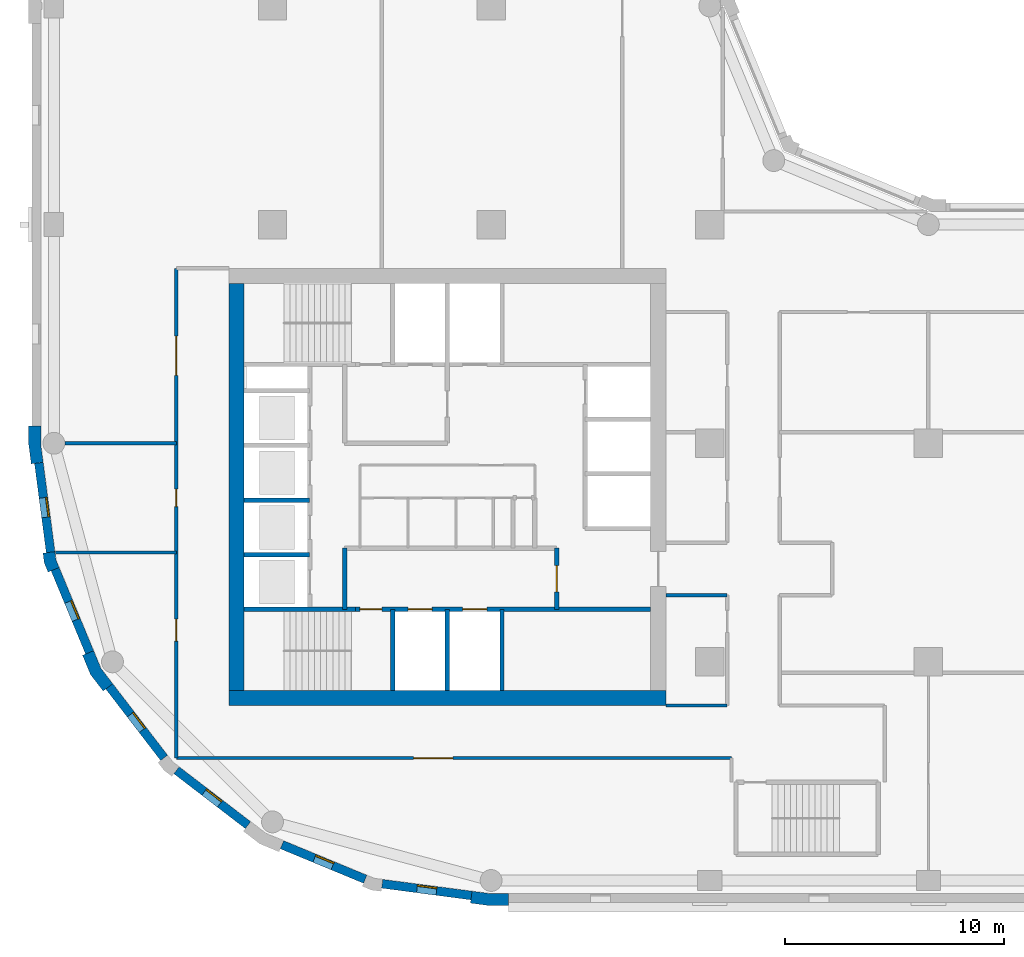
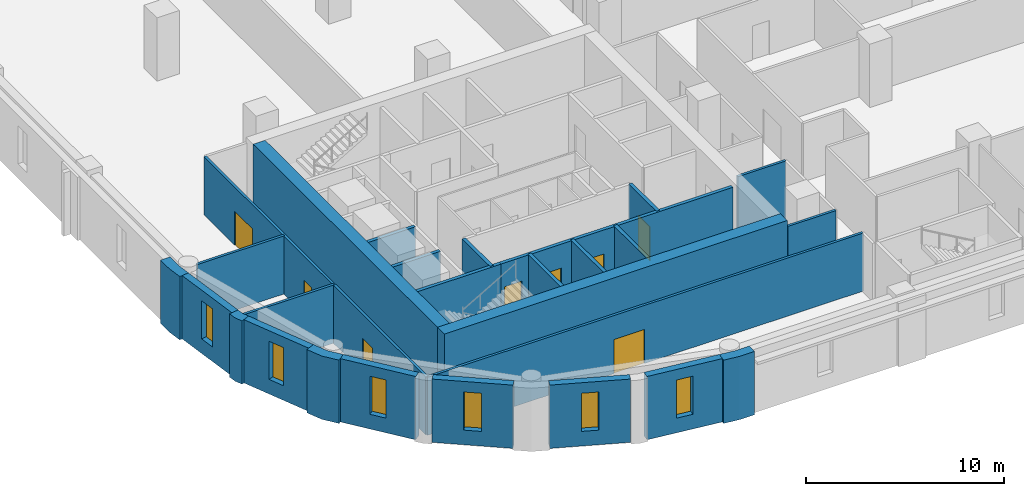
# One storey, part 2 of 9: 27 walls, 8 doors, 6 windows, 14 openings.
"""IFC4 building model written with IfcOpenShell, lengths in metres."""

from ifc_helpers import new_model, si_unit, direction, frame, frame_2d, origin, place, context, subcontext, project, spatial, polyline, rectangle, outline, extrude, material, layer, layer_set, type_object, element, fill, save


model = new_model("IFC4")

# Units and contexts
model_context = context("Model", 3, precision=1e-05, world=origin(), true_north=direction((0.0, 1.0)))
body_context = subcontext(model_context, "Body", "Model", "MODEL_VIEW")
ifc_project = project(units=[si_unit("LENGTHUNIT", "METRE"), si_unit("AREAUNIT", "SQUARE_METRE"), si_unit("VOLUMEUNIT", "CUBIC_METRE"), si_unit("PLANEANGLEUNIT", "RADIAN"), si_unit("MASSUNIT", "GRAM", prefix="KILO")], contexts=[model_context])

# Site, building, storey
site_placement = place(None, origin())
site = spatial("IfcSite", under=ifc_project, at=site_placement, CompositionType="ELEMENT")
building_placement = place(site_placement, origin())
building = spatial("IfcBuilding", under=site, at=building_placement, Name="Qaws Garden Tower", CompositionType="ELEMENT")
storey_placement = place(building_placement, frame((0.0, 0.0, 213.60009765625)))
storey = spatial("IfcBuildingStorey", under=building, at=storey_placement, Name="L52", CompositionType="ELEMENT", Elevation=213.60009765625)

# Wall, opening, window
ifc_material_1 = material(Name="Clay facing brick masonry", Category="masonry")
ifc_layer_1 = layer(ifc_material_1, 0.39990234375)
ifc_layer_set_1 = layer_set([ifc_layer_1], Name="Clay facing brick masonry")
wall_type_1 = type_object("IfcWallType", Name="Brick infill wall 400", PredefinedType="SOLIDWALL", material=ifc_layer_set_1)
wall_1_placement = place(storey_placement, frame((-0.688720703125, 19.102294921875, 0.0), z_axis=(0.0, 0.0, 1.0), x_axis=(0.130514280502, -0.991446429508, 0.0)))
wall_1 = element("IfcWall", 1, at=wall_1_placement, inside=storey, type_object=wall_type_1, Name="E-L52-infill-25", PredefinedType="SOLIDWALL", context=body_context, shape_type="SweptSolid", body=[
    extrude(rectangle(XDim=4.120849609375, YDim=0.39990234375, at=frame_2d((2.060546875, 0.0))), origin(), (0.0, 0.0, 1.0), 3.89990234375),
])
opening_1_placement = place(wall_1_placement, frame((1.610595703125, 0.0, 0.89990234375)))
opening_1 = element("IfcOpeningElement", 2, at=opening_1_placement, cuts=wall_1, Name="Opening W09", PredefinedType="OPENING", context=body_context, shape_type="SweptSolid", body=[
    extrude(rectangle(XDim=0.89990234375, YDim=2.35009765625, at=frame_2d((0.449951171875, 1.175048828125))), frame((0.0, 0.2099609375, 0.0), z_axis=(0.0, -1.0, 0.0), x_axis=(1.0, 0.0, 0.0)), (0.0, 0.0, 1.0), 0.419921875),
])
ifc_material_2 = material(Name="Aluminium framed window, clear glazing", Category="aluminium")
window_type = type_object("IfcWindowType", Name="Slit window 900 x 2350", PartitioningType="SINGLE_PANEL", PredefinedType="WINDOW", material=ifc_material_2)
window_1_placement = place(opening_1_placement, origin())
window_1 = element("IfcWindow", 3, at=window_1_placement, inside=storey, type_object=window_type, Name="E-L52-window-25-0", OverallHeight=2.35009765625, OverallWidth=0.89990234375, PartitioningType="SINGLE_PANEL", PredefinedType="WINDOW", context=body_context, shape_type="SweptSolid", body=[
    extrude(rectangle(XDim=0.89990234375, YDim=2.35009765625, at=frame_2d((0.449951171875, 1.175048828125))), frame((0.0, 0.159912109375, 0.0), z_axis=(0.0, -1.0, 0.0), x_axis=(1.0, 0.0, 0.0)), (0.0, 0.0, 1.0), 0.06005859375),
])
fill(opening_1, window_1)

wall_2_placement = place(storey_placement, frame((0.05712890625, 14.240234375, 0.0), z_axis=(0.0, 0.0, 1.0), x_axis=(0.382721546029, -0.923863744394, 0.0)))
wall_2 = element("IfcWall", 4, at=wall_2_placement, inside=storey, type_object=wall_type_1, Name="E-L52-infill-26", PredefinedType="SOLIDWALL", context=body_context, shape_type="SweptSolid", body=[
    extrude(rectangle(XDim=4.120849609375, YDim=0.39990234375, at=frame_2d((2.060546875, 0.0))), origin(), (0.0, 0.0, 1.0), 3.89990234375),
])
opening_2_placement = place(wall_2_placement, frame((1.610595703125, 0.0, 0.89990234375)))
opening_2 = element("IfcOpeningElement", 5, at=opening_2_placement, cuts=wall_2, Name="Opening W09", PredefinedType="OPENING", context=body_context, shape_type="SweptSolid", body=[
    extrude(rectangle(XDim=0.89990234375, YDim=2.35009765625, at=frame_2d((0.449951171875, 1.175048828125))), frame((0.0, 0.2099609375, 0.0), z_axis=(0.0, -1.0, 0.0), x_axis=(1.0, 0.0, 0.0)), (0.0, 0.0, 1.0), 0.419921875),
])
window_2_placement = place(opening_2_placement, origin())
window_2 = element("IfcWindow", 6, at=window_2_placement, inside=storey, type_object=window_type, Name="E-L52-window-26-0", OverallHeight=2.35009765625, OverallWidth=0.89990234375, PartitioningType="SINGLE_PANEL", PredefinedType="WINDOW", context=body_context, shape_type="SweptSolid", body=[
    extrude(rectangle(XDim=0.89990234375, YDim=2.35009765625, at=frame_2d((0.449951171875, 1.175048828125))), frame((0.0, 0.159912109375, 0.0), z_axis=(0.0, -1.0, 0.0), x_axis=(1.0, 0.0, 0.0)), (0.0, 0.0, 1.0), 0.06005859375),
])
fill(opening_2, window_2)

wall_3_placement = place(storey_placement, frame((2.53173828125, 8.87841796875, 0.0), z_axis=(0.0, 0.0, 1.0), x_axis=(0.608759824817, -0.793354571229, 0.0)))
wall_3 = element("IfcWall", 7, at=wall_3_placement, inside=storey, type_object=wall_type_1, Name="E-L52-infill-27", PredefinedType="SOLIDWALL", context=body_context, shape_type="SweptSolid", body=[
    extrude(rectangle(XDim=4.12109375, YDim=0.39990234375, at=frame_2d((2.060546875, 0.0))), origin(), (0.0, 0.0, 1.0), 3.89990234375),
])
opening_3_placement = place(wall_3_placement, frame((1.610595703125, 0.0, 0.89990234375)))
opening_3 = element("IfcOpeningElement", 8, at=opening_3_placement, cuts=wall_3, Name="Opening W09", PredefinedType="OPENING", context=body_context, shape_type="SweptSolid", body=[
    extrude(rectangle(XDim=0.89990234375, YDim=2.35009765625, at=frame_2d((0.449951171875, 1.175048828125))), frame((0.0, 0.2099609375, 0.0), z_axis=(0.0, -1.0, 0.0), x_axis=(1.0, 0.0, 0.0)), (0.0, 0.0, 1.0), 0.419921875),
])
window_3_placement = place(opening_3_placement, origin())
window_3 = element("IfcWindow", 9, at=window_3_placement, inside=storey, type_object=window_type, Name="E-L52-window-27-0", OverallHeight=2.35009765625, OverallWidth=0.89990234375, PartitioningType="SINGLE_PANEL", PredefinedType="WINDOW", context=body_context, shape_type="SweptSolid", body=[
    extrude(rectangle(XDim=0.89990234375, YDim=2.35009765625, at=frame_2d((0.449951171875, 1.175048828125))), frame((0.0, 0.159912109375, 0.0), z_axis=(0.0, -1.0, 0.0), x_axis=(1.0, 0.0, 0.0)), (0.0, 0.0, 1.0), 0.06005859375),
])
fill(opening_3, window_3)

wall_4_placement = place(storey_placement, frame((5.60888671875, 5.04052734375, 0.0), z_axis=(0.0, 0.0, 1.0), x_axis=(0.793354571229, -0.608759824817, 0.0)))
wall_4 = element("IfcWall", 10, at=wall_4_placement, inside=storey, type_object=wall_type_1, Name="E-L52-infill-28", PredefinedType="SOLIDWALL", context=body_context, shape_type="SweptSolid", body=[
    extrude(rectangle(XDim=4.12109375, YDim=0.39990234375, at=frame_2d((2.060546875, 0.0))), origin(), (0.0, 0.0, 1.0), 3.89990234375),
])
opening_4_placement = place(wall_4_placement, frame((1.610595703125, 0.0, 0.89990234375)))
opening_4 = element("IfcOpeningElement", 11, at=opening_4_placement, cuts=wall_4, Name="Opening W09", PredefinedType="OPENING", context=body_context, shape_type="SweptSolid", body=[
    extrude(rectangle(XDim=0.89990234375, YDim=2.35009765625, at=frame_2d((0.449951171875, 1.175048828125))), frame((0.0, 0.2099609375, 0.0), z_axis=(0.0, -1.0, 0.0), x_axis=(1.0, 0.0, 0.0)), (0.0, 0.0, 1.0), 0.419921875),
])
window_4_placement = place(opening_4_placement, origin())
window_4 = element("IfcWindow", 12, at=window_4_placement, inside=storey, type_object=window_type, Name="E-L52-window-28-0", OverallHeight=2.35009765625, OverallWidth=0.89990234375, PartitioningType="SINGLE_PANEL", PredefinedType="WINDOW", context=body_context, shape_type="SweptSolid", body=[
    extrude(rectangle(XDim=0.89990234375, YDim=2.35009765625, at=frame_2d((0.449951171875, 1.175048828125))), frame((0.0, 0.159912109375, 0.0), z_axis=(0.0, -1.0, 0.0), x_axis=(1.0, 0.0, 0.0)), (0.0, 0.0, 1.0), 0.06005859375),
])
fill(opening_4, window_4)

wall_5_placement = place(storey_placement, frame((10.43310546875, 1.63427734375, 0.0), z_axis=(0.0, 0.0, 1.0), x_axis=(0.923863744394, -0.382721546029, 0.0)))
wall_5 = element("IfcWall", 13, at=wall_5_placement, inside=storey, type_object=wall_type_1, Name="E-L52-infill-29", PredefinedType="SOLIDWALL", context=body_context, shape_type="SweptSolid", body=[
    extrude(rectangle(XDim=4.120849609375, YDim=0.39990234375, at=frame_2d((2.060546875, 0.0))), origin(), (0.0, 0.0, 1.0), 3.89990234375),
])
opening_5_placement = place(wall_5_placement, frame((1.610595703125, 0.0, 0.89990234375)))
opening_5 = element("IfcOpeningElement", 14, at=opening_5_placement, cuts=wall_5, Name="Opening W09", PredefinedType="OPENING", context=body_context, shape_type="SweptSolid", body=[
    extrude(rectangle(XDim=0.89990234375, YDim=2.35009765625, at=frame_2d((0.449951171875, 1.175048828125))), frame((0.0, 0.2099609375, 0.0), z_axis=(0.0, -1.0, 0.0), x_axis=(1.0, 0.0, 0.0)), (0.0, 0.0, 1.0), 0.419921875),
])
window_5_placement = place(opening_5_placement, origin())
window_5 = element("IfcWindow", 15, at=window_5_placement, inside=storey, type_object=window_type, Name="E-L52-window-29-0", OverallHeight=2.35009765625, OverallWidth=0.89990234375, PartitioningType="SINGLE_PANEL", PredefinedType="WINDOW", context=body_context, shape_type="SweptSolid", body=[
    extrude(rectangle(XDim=0.89990234375, YDim=2.35009765625, at=frame_2d((0.449951171875, 1.175048828125))), frame((0.0, 0.159912109375, 0.0), z_axis=(0.0, -1.0, 0.0), x_axis=(1.0, 0.0, 0.0)), (0.0, 0.0, 1.0), 0.06005859375),
])
fill(opening_5, window_5)

wall_6_placement = place(storey_placement, frame((15.0166015625, -0.15087890625, 0.0), z_axis=(0.0, 0.0, 1.0), x_axis=(0.991446429508, -0.130514280502, 0.0)))
wall_6 = element("IfcWall", 16, at=wall_6_placement, inside=storey, type_object=wall_type_1, Name="E-L52-infill-30", PredefinedType="SOLIDWALL", context=body_context, shape_type="SweptSolid", body=[
    extrude(rectangle(XDim=4.120849609375, YDim=0.39990234375, at=frame_2d((2.060546875, 0.0))), origin(), (0.0, 0.0, 1.0), 3.89990234375),
])
opening_6_placement = place(wall_6_placement, frame((1.610595703125, 0.0, 0.89990234375)))
opening_6 = element("IfcOpeningElement", 17, at=opening_6_placement, cuts=wall_6, Name="Opening W09", PredefinedType="OPENING", context=body_context, shape_type="SweptSolid", body=[
    extrude(rectangle(XDim=0.89990234375, YDim=2.35009765625, at=frame_2d((0.449951171875, 1.175048828125))), frame((0.0, 0.2099609375, 0.0), z_axis=(0.0, -1.0, 0.0), x_axis=(1.0, 0.0, 0.0)), (0.0, 0.0, 1.0), 0.419921875),
])
window_6_placement = place(opening_6_placement, origin())
window_6 = element("IfcWindow", 18, at=window_6_placement, inside=storey, type_object=window_type, Name="E-L52-window-30-0", OverallHeight=2.35009765625, OverallWidth=0.89990234375, PartitioningType="SINGLE_PANEL", PredefinedType="WINDOW", context=body_context, shape_type="SweptSolid", body=[
    extrude(rectangle(XDim=0.89990234375, YDim=2.35009765625, at=frame_2d((0.449951171875, 1.175048828125))), frame((0.0, 0.159912109375, 0.0), z_axis=(0.0, -1.0, 0.0), x_axis=(1.0, 0.0, 0.0)), (0.0, 0.0, 1.0), 0.06005859375),
])
fill(opening_6, window_6)

# Walls
ifc_material_3 = material(Name="Clay facing brick masonry", Category="masonry")
ifc_layer_2 = layer(ifc_material_3, 0.550048828125)
ifc_layer_set_2 = layer_set([ifc_layer_2], Name="Clay facing brick masonry")
wall_type_2 = type_object("IfcWallType", Name="Brick kink pier 550 x 600", PredefinedType="SOLIDWALL", material=ifc_layer_set_2)
placement = place(storey_placement, origin())
element("IfcWall", 19, at=placement, inside=storey, type_object=wall_type_2, Name="E-L52-pier-26", PredefinedType="SOLIDWALL", context=body_context, shape_type="SweptSolid", body=[
    extrude(outline(polyline([(-0.34912109375, 14.990478515625), (-0.497802734375, 14.970947265625), (-0.43896484375, 14.5234375), (-0.26611328125, 14.1064453125), (-0.127685546875, 14.163818359375), (0.241943359375, 14.31689453125), (0.096923828125, 14.6669921875), (0.04736328125, 15.042724609375), (-0.34912109375, 14.990478515625)])), origin(), (0.0, 0.0, 1.0), 3.89990234375),
])
ifc_material_4 = material(Name="Clay facing brick masonry", Category="masonry")
ifc_layer_3 = layer(ifc_material_4, 0.550048828125)
ifc_layer_set_3 = layer_set([ifc_layer_3], Name="Clay facing brick masonry")
wall_type_3 = type_object("IfcWallType", Name="Brick pier 550 x 1600", PredefinedType="SOLIDWALL", material=ifc_layer_set_3)
element("IfcWall", 20, at=placement, inside=storey, type_object=wall_type_3, Name="E-L52-pier-00", PredefinedType="SOLIDWALL", context=body_context, shape_type="SweptSolid", body=[
    extrude(outline(polyline([(19.076416015625, -0.886962890625), (19.056640625, -1.03564453125), (19.924560546875, -1.14990234375), (20.800048828125, -1.14990234375), (20.800048828125, -1.0), (20.800048828125, -0.60009765625), (19.960693359375, -0.60009765625), (19.12841796875, -0.490478515625), (19.076416015625, -0.886962890625)])), origin(), (0.0, 0.0, 1.0), 3.89990234375),
])
element("IfcWall", 21, at=placement, inside=storey, type_object=wall_type_3, Name="E-L52-pier-25", PredefinedType="SOLIDWALL", context=body_context, shape_type="SweptSolid", body=[
    extrude(outline(polyline([(-1.0, 20.800048828125), (-1.14990234375, 20.800048828125), (-1.14990234375, 19.924560546875), (-1.03564453125, 19.056640625), (-0.886962890625, 19.076416015625), (-0.490478515625, 19.12841796875), (-0.60009765625, 19.960693359375), (-0.60009765625, 20.800048828125), (-1.0, 20.800048828125)])), origin(), (0.0, 0.0, 1.0), 3.89990234375),
])
element("IfcWall", 22, at=placement, inside=storey, type_object=wall_type_3, Name="E-L52-pier-27", PredefinedType="SOLIDWALL", context=body_context, shape_type="SweptSolid", body=[
    extrude(outline(polyline([(1.449462890625, 10.3564453125), (1.310791015625, 10.299072265625), (1.675048828125, 9.419921875), (2.254150390625, 8.665283203125), (2.373046875, 8.756591796875), (2.6904296875, 9.0), (2.1552734375, 9.697509765625), (1.819091796875, 10.509521484375), (1.449462890625, 10.3564453125)])), origin(), (0.0, 0.0, 1.0), 3.89990234375),
])
ifc_material_5 = material(Name="Concrete C70", Category="concrete")
ifc_layer_4 = layer(ifc_material_5, 0.199951171875)
ifc_layer_set_4 = layer_set([ifc_layer_4], Name="Concrete C70")
wall_type_4 = type_object("IfcWallType", Name="Core shaft wall 200 C70", PredefinedType="SHEAR", material=ifc_layer_set_4)
wall_11_placement = place(storey_placement, frame((8.699951171875, 12.39990234375, 0.0), z_axis=(0.0, 0.0, 1.0), x_axis=(1.0, 0.0, 0.0)))
element("IfcWall", 23, at=wall_11_placement, inside=storey, type_object=wall_type_4, Name="Shaft wall", PredefinedType="SHEAR", context=body_context, shape_type="SweptSolid", body=[
    extrude(rectangle(XDim=5.10009765625, YDim=0.199951171875, at=frame_2d((2.550048828125, 0.0))), origin(), (0.0, 0.0, 1.0), 3.579833984375),
])

# Wall, openings, doors
wall_12_placement = place(storey_placement, frame((13.800048828125, 12.39990234375, 0.0), z_axis=(0.0, 0.0, 1.0), x_axis=(1.0, 0.0, 0.0)))
wall_12 = element("IfcWall", 24, at=wall_12_placement, inside=storey, type_object=wall_type_4, Name="Shaft wall", PredefinedType="SHEAR", context=body_context, shape_type="SweptSolid", body=[
    extrude(rectangle(XDim=13.5, YDim=0.199951171875, at=frame_2d((6.75, 0.0))), origin(), (0.0, 0.0, 1.0), 3.579833984375),
])
opening_7_placement = place(wall_12_placement, frame((2.39990234375, 0.0, 0.0)))
opening_7 = element("IfcOpeningElement", 25, at=opening_7_placement, cuts=wall_12, Name="Opening LD06", PredefinedType="OPENING", context=body_context, shape_type="SweptSolid", body=[
    extrude(rectangle(XDim=1.10009765625, YDim=2.10009765625, at=frame_2d((0.550048828125, 1.050048828125))), frame((0.0, 0.10986328125, 0.0), z_axis=(0.0, -1.0, 0.0), x_axis=(1.0, 0.0, 0.0)), (0.0, 0.0, 1.0), 0.219970703125),
])
opening_8_placement = place(wall_12_placement, frame((4.89990234375, 0.0, 0.0)))
opening_8 = element("IfcOpeningElement", 26, at=opening_8_placement, cuts=wall_12, Name="Opening LD07", PredefinedType="OPENING", context=body_context, shape_type="SweptSolid", body=[
    extrude(rectangle(XDim=1.10009765625, YDim=2.10009765625, at=frame_2d((0.550048828125, 1.050048828125))), frame((0.0, 0.10986328125, 0.0), z_axis=(0.0, -1.0, 0.0), x_axis=(1.0, 0.0, 0.0)), (0.0, 0.0, 1.0), 0.219970703125),
])
opening_9_placement = place(wall_12_placement, frame((0.199951171875, 0.0, 0.0)))
opening_9 = element("IfcOpeningElement", 27, at=opening_9_placement, cuts=wall_12, Name="Opening SD10", PredefinedType="OPENING", context=body_context, shape_type="SweptSolid", body=[
    extrude(rectangle(XDim=1.0, YDim=2.10009765625, at=frame_2d((0.5, 1.050048828125))), frame((0.0, 0.10986328125, 0.0), z_axis=(0.0, -1.0, 0.0), x_axis=(1.0, 0.0, 0.0)), (0.0, 0.0, 1.0), 0.219970703125),
])
ifc_material_6 = material(Name="Steel S235", Category="steel")
door_type_1 = type_object("IfcDoorType", Name="Landing door 1100x2100", OperationType="DOUBLE_DOOR_SLIDING", PredefinedType="DOOR", material=ifc_material_6)
door_1_placement = place(opening_7_placement, origin())
door_1 = element("IfcDoor", 28, at=door_1_placement, inside=storey, type_object=door_type_1, Name="Lift FF1 landing door", OperationType="DOUBLE_DOOR_SLIDING", OverallHeight=2.10009765625, OverallWidth=1.10009765625, PredefinedType="DOOR", context=body_context, shape_type="SweptSolid", body=[
    extrude(rectangle(XDim=1.10009765625, YDim=2.10009765625, at=frame_2d((0.550048828125, 1.050048828125))), frame((0.0, 0.02490234375, 0.0), z_axis=(0.0, -1.0, 0.0), x_axis=(1.0, 0.0, 0.0)), (0.0, 0.0, 1.0), 0.050048828125),
])
fill(opening_7, door_1)
door_2_placement = place(opening_8_placement, origin())
door_2 = element("IfcDoor", 29, at=door_2_placement, inside=storey, type_object=door_type_1, Name="Lift FF2 landing door", OperationType="DOUBLE_DOOR_SLIDING", OverallHeight=2.10009765625, OverallWidth=1.10009765625, PredefinedType="DOOR", context=body_context, shape_type="SweptSolid", body=[
    extrude(rectangle(XDim=1.10009765625, YDim=2.10009765625, at=frame_2d((0.550048828125, 1.050048828125))), frame((0.0, 0.02490234375, 0.0), z_axis=(0.0, -1.0, 0.0), x_axis=(1.0, 0.0, 0.0)), (0.0, 0.0, 1.0), 0.050048828125),
])
fill(opening_8, door_2)
ifc_material_7 = material(Name="Steel S235", Category="steel")
door_type_2 = type_object("IfcDoorType", Name="Stair door 1000x2100", OperationType="SINGLE_SWING_RIGHT", PredefinedType="DOOR", material=ifc_material_7)
door_3_placement = place(opening_9_placement, frame((1.0, 0.0, 0.0), z_axis=(0.0, 0.0, 1.0), x_axis=(-1.0, 0.0, 0.0)))
door_3 = element("IfcDoor", 30, at=door_3_placement, inside=storey, type_object=door_type_2, Name="Stair 1 door", OperationType="SINGLE_SWING_LEFT", OverallHeight=2.10009765625, OverallWidth=1.0, PredefinedType="DOOR", context=body_context, shape_type="SweptSolid", body=[
    extrude(rectangle(XDim=1.0, YDim=2.10009765625, at=frame_2d((0.5, 1.050048828125))), frame((0.0, 0.02490234375, 0.0), z_axis=(0.0, -1.0, 0.0), x_axis=(1.0, 0.0, 0.0)), (0.0, 0.0, 1.0), 0.050048828125),
])
fill(opening_9, door_3)

# Walls
for number, where, z_axis, x_axis, name in (
    (31, (8.699951171875, 14.89990234375, 0.0), (0.0, 0.0, 1.0), (1.0, 0.0, 0.0), "Shaft wall"),
    (32, (8.699951171875, 17.39990234375, 0.0), (0.0, 0.0, 1.0), (1.0, 0.0, 0.0), "Shaft wall"),
):
    element("IfcWall", number, at=place(storey_placement, frame(where, z_axis=z_axis, x_axis=x_axis)), inside=storey, type_object=wall_type_4, Name=name, PredefinedType="SHEAR", context=body_context, shape_type="SweptSolid", body=[
        extrude(rectangle(XDim=3.0, YDim=0.199951171875, at=frame_2d((1.5, 0.0))), origin(), (0.0, 0.0, 1.0), 3.579833984375),
    ])
wall_13_placement = place(storey_placement, frame((13.300048828125, 12.39990234375, 0.0), z_axis=(0.0, 0.0, 1.0), x_axis=(0.0, 1.0, 0.0)))
element("IfcWall", 33, at=wall_13_placement, inside=storey, type_object=wall_type_4, Name="Shaft wall", PredefinedType="SHEAR", context=body_context, shape_type="SweptSolid", body=[
    extrude(rectangle(XDim=2.800048828125, YDim=0.199951171875, at=frame_2d((1.39990234375, 0.0))), origin(), (0.0, 0.0, 1.0), 3.579833984375),
])
for number, where, z_axis, x_axis, name in (
    (34, (15.5, 8.699951171875, 0.0), (0.0, 0.0, 1.0), (0.0, 1.0, 0.0), "Shaft wall"),
    (35, (18.0, 8.699951171875, 0.0), (0.0, 0.0, 1.0), (0.0, 1.0, 0.0), "Shaft wall"),
    (36, (20.5, 8.699951171875, 0.0), (0.0, 0.0, 1.0), (0.0, 1.0, 0.0), "Shaft wall"),
):
    element("IfcWall", number, at=place(storey_placement, frame(where, z_axis=z_axis, x_axis=x_axis)), inside=storey, type_object=wall_type_4, Name=name, PredefinedType="SHEAR", context=body_context, shape_type="SweptSolid", body=[
        extrude(rectangle(XDim=3.699951171875, YDim=0.199951171875, at=frame_2d((1.85009765625, 0.0))), origin(), (0.0, 0.0, 1.0), 3.579833984375),
    ])

# Wall, opening, door
wall_14_placement = place(storey_placement, frame((23.0, 12.39990234375, 0.0), z_axis=(0.0, 0.0, 1.0), x_axis=(0.0, 1.0, 0.0)))
wall_14 = element("IfcWall", 37, at=wall_14_placement, inside=storey, type_object=wall_type_4, Name="Shaft wall", PredefinedType="SHEAR", context=body_context, shape_type="SweptSolid", body=[
    extrude(rectangle(XDim=2.800048828125, YDim=0.199951171875, at=frame_2d((1.39990234375, 0.0))), origin(), (0.0, 0.0, 1.0), 3.579833984375),
])
opening_10_placement = place(wall_14_placement, frame((0.800048828125, 0.0, 0.0)))
opening_10 = element("IfcOpeningElement", 38, at=opening_10_placement, cuts=wall_14, Name="Opening FD15", PredefinedType="OPENING", context=body_context, shape_type="SweptSolid", body=[
    extrude(rectangle(XDim=1.199951171875, YDim=2.10009765625, at=frame_2d((0.60009765625, 1.050048828125))), frame((0.0, 0.10986328125, 0.0), z_axis=(0.0, -1.0, 0.0), x_axis=(1.0, 0.0, 0.0)), (0.0, 0.0, 1.0), 0.219970703125),
])
ifc_material_8 = material(Name="Steel S235", Category="steel")
door_type_3 = type_object("IfcDoorType", Name="Lobby door 1200x2100", OperationType="DOUBLE_DOOR_SINGLE_SWING", PredefinedType="DOOR", material=ifc_material_8)
door_4_placement = place(opening_10_placement, origin())
door_4 = element("IfcDoor", 39, at=door_4_placement, inside=storey, type_object=door_type_3, Name="Fire-fighting lobby door", OperationType="DOUBLE_DOOR_SINGLE_SWING", OverallHeight=2.10009765625, OverallWidth=1.199951171875, PredefinedType="DOOR", context=body_context, shape_type="SweptSolid", body=[
    extrude(rectangle(XDim=1.199951171875, YDim=2.10009765625, at=frame_2d((0.60009765625, 1.050048828125))), frame((0.0, 0.02490234375, 0.0), z_axis=(0.0, -1.0, 0.0), x_axis=(1.0, 0.0, 0.0)), (0.0, 0.0, 1.0), 0.050048828125),
])
fill(opening_10, door_4)

# Walls
ifc_material_9 = material(Name="Concrete C70", Category="concrete")
ifc_layer_5 = layer(ifc_material_9, 0.699951171875)
ifc_layer_set_5 = layer_set([ifc_layer_5], Name="Concrete C70")
wall_type_5 = type_object("IfcWallType", Name="Core wall 700 C70", PredefinedType="SHEAR", material=ifc_layer_set_5)
wall_15_placement = place(storey_placement, frame((8.0, 8.35009765625, 0.0), z_axis=(0.0, 0.0, 1.0), x_axis=(1.0, 0.0, 0.0)))
element("IfcWall", 40, at=wall_15_placement, inside=storey, type_object=wall_type_5, Name="Core wall L52 south", PredefinedType="SHEAR", context=body_context, shape_type="SweptSolid", body=[
    extrude(rectangle(XDim=20.0, YDim=0.699951171875, at=frame_2d((10.0, 0.0))), origin(), (0.0, 0.0, 1.0), 3.89990234375),
])
wall_16_placement = place(storey_placement, frame((8.35009765625, 27.300048828125, 0.0), z_axis=(0.0, 0.0, 1.0), x_axis=(0.0, -1.0, 0.0)))
element("IfcWall", 41, at=wall_16_placement, inside=storey, type_object=wall_type_5, Name="Core wall L52 west", PredefinedType="SHEAR", context=body_context, shape_type="SweptSolid", body=[
    extrude(rectangle(XDim=18.60009765625, YDim=0.699951171875, at=frame_2d((9.300048828125, 0.0))), origin(), (0.0, 0.0, 1.0), 3.89990234375),
])

# Wall, openings, doors
ifc_material_10 = material(Name="Gypsum board partition")
ifc_layer_6 = layer(ifc_material_10, 0.14990234375)
ifc_layer_set_6 = layer_set([ifc_layer_6], Name="Gypsum board partition")
wall_type_6 = type_object("IfcWallType", Name="PARTITION 150 EI 60", PredefinedType="PARTITIONING", material=ifc_layer_set_6)
wall_17_placement = place(storey_placement, frame((5.60009765625, 5.60009765625, 0.0), z_axis=(0.0, 0.0, 1.0), x_axis=(0.0, 1.0, 0.0)))
wall_17 = element("IfcWall", 42, at=wall_17_placement, inside=storey, type_object=wall_type_6, Name="O-L52-wall-003", PredefinedType="PARTITIONING", context=body_context, shape_type="SweptSolid", body=[
    extrude(rectangle(XDim=22.39990234375, YDim=0.14990234375, at=frame_2d((11.199951171875, 0.0))), origin(), (0.0, 0.0, 1.0), 3.579833984375),
])
opening_11_placement = place(wall_17_placement, frame((5.35009765625, 0.0, 0.0)))
opening_11 = element("IfcOpeningElement", 43, at=opening_11_placement, cuts=wall_17, Name="Opening B801", PredefinedType="OPENING", context=body_context, shape_type="SweptSolid", body=[
    extrude(rectangle(XDim=1.0, YDim=2.10009765625, at=frame_2d((0.5, 1.050048828125))), frame((0.0, 0.0849609375, 0.0), z_axis=(0.0, -1.0, 0.0), x_axis=(1.0, 0.0, 0.0)), (0.0, 0.0, 1.0), 0.169921875),
])
opening_12_placement = place(wall_17_placement, frame((11.5, 0.0, 0.0)))
opening_12 = element("IfcOpeningElement", 44, at=opening_12_placement, cuts=wall_17, Name="Opening B802", PredefinedType="OPENING", context=body_context, shape_type="SweptSolid", body=[
    extrude(rectangle(XDim=0.800048828125, YDim=2.10009765625, at=frame_2d((0.39990234375, 1.050048828125))), frame((0.0, 0.0849609375, 0.0), z_axis=(0.0, -1.0, 0.0), x_axis=(1.0, 0.0, 0.0)), (0.0, 0.0, 1.0), 0.169921875),
])
opening_13_placement = place(wall_17_placement, frame((17.5, 0.0, 0.0)))
opening_13 = element("IfcOpeningElement", 45, at=opening_13_placement, cuts=wall_17, Name="Opening B804", PredefinedType="OPENING", context=body_context, shape_type="SweptSolid", body=[
    extrude(rectangle(XDim=1.800048828125, YDim=2.10009765625, at=frame_2d((0.89990234375, 1.050048828125))), frame((0.0, 0.0849609375, 0.0), z_axis=(0.0, -1.0, 0.0), x_axis=(1.0, 0.0, 0.0)), (0.0, 0.0, 1.0), 0.169921875),
])
ifc_material_11 = material(Name="Timber door leaf", Category="wood")
door_type_4 = type_object("IfcDoorType", Name="DOUBLE DOOR 1800 X 2100", OperationType="DOUBLE_DOOR_SINGLE_SWING", PredefinedType="DOOR", material=ifc_material_11)
door_5_placement = place(opening_13_placement, origin())
door_5 = element("IfcDoor", 46, at=door_5_placement, inside=storey, type_object=door_type_4, Name="O-L52-door-004", OperationType="DOUBLE_DOOR_SINGLE_SWING", OverallHeight=2.10009765625, OverallWidth=1.800048828125, PredefinedType="DOOR", context=body_context, shape_type="SweptSolid", body=[
    extrude(rectangle(XDim=1.800048828125, YDim=2.10009765625, at=frame_2d((0.89990234375, 1.050048828125))), frame((0.0, 0.02490234375, 0.0), z_axis=(0.0, -1.0, 0.0), x_axis=(1.0, 0.0, 0.0)), (0.0, 0.0, 1.0), 0.050048828125),
])
fill(opening_13, door_5)
ifc_material_12 = material(Name="Timber door leaf", Category="wood")
door_type_5 = type_object("IfcDoorType", Name="STORE DOOR 800 X 2100", OperationType="SINGLE_SWING_LEFT", PredefinedType="DOOR", material=ifc_material_12)
door_6_placement = place(opening_12_placement, origin())
door_6 = element("IfcDoor", 47, at=door_6_placement, inside=storey, type_object=door_type_5, Name="O-L52-door-002", OperationType="SINGLE_SWING_RIGHT", OverallHeight=2.10009765625, OverallWidth=0.800048828125, PredefinedType="DOOR", context=body_context, shape_type="SweptSolid", body=[
    extrude(rectangle(XDim=0.800048828125, YDim=2.10009765625, at=frame_2d((0.39990234375, 1.050048828125))), frame((0.0, 0.02490234375, 0.0), z_axis=(0.0, -1.0, 0.0), x_axis=(1.0, 0.0, 0.0)), (0.0, 0.0, 1.0), 0.050048828125),
])
fill(opening_12, door_6)
ifc_material_13 = material(Name="Timber door leaf", Category="wood")
door_type_6 = type_object("IfcDoorType", Name="TENANCY ENTRANCE DOOR 1000 X 2100", OperationType="SINGLE_SWING_LEFT", PredefinedType="DOOR", material=ifc_material_13)
door_7_placement = place(opening_11_placement, origin())
door_7 = element("IfcDoor", 48, at=door_7_placement, inside=storey, type_object=door_type_6, Name="O-L52-door-001", OperationType="SINGLE_SWING_RIGHT", OverallHeight=2.10009765625, OverallWidth=1.0, PredefinedType="DOOR", context=body_context, shape_type="SweptSolid", body=[
    extrude(rectangle(XDim=1.0, YDim=2.10009765625, at=frame_2d((0.5, 1.050048828125))), frame((0.0, 0.02490234375, 0.0), z_axis=(0.0, -1.0, 0.0), x_axis=(1.0, 0.0, 0.0)), (0.0, 0.0, 1.0), 0.050048828125),
])
fill(opening_11, door_7)

# Wall, opening, door
wall_18_placement = place(storey_placement, frame((5.60009765625, 5.60009765625, 0.0), z_axis=(0.0, 0.0, 1.0), x_axis=(1.0, 0.0, 0.0)))
wall_18 = element("IfcWall", 49, at=wall_18_placement, inside=storey, type_object=wall_type_6, Name="O-L52-wall-021", PredefinedType="PARTITIONING", context=body_context, shape_type="SweptSolid", body=[
    extrude(rectangle(XDim=25.39990234375, YDim=0.14990234375, at=frame_2d((12.699951171875, 0.0))), origin(), (0.0, 0.0, 1.0), 3.579833984375),
])
opening_14_placement = place(wall_18_placement, frame((10.85009765625, 0.0, 0.0)))
opening_14 = element("IfcOpeningElement", 50, at=opening_14_placement, cuts=wall_18, Name="Opening B808", PredefinedType="OPENING", context=body_context, shape_type="SweptSolid", body=[
    extrude(rectangle(XDim=1.800048828125, YDim=2.10009765625, at=frame_2d((0.89990234375, 1.050048828125))), frame((0.0, 0.0849609375, 0.0), z_axis=(0.0, -1.0, 0.0), x_axis=(1.0, 0.0, 0.0)), (0.0, 0.0, 1.0), 0.169921875),
])
door_8_placement = place(opening_14_placement, frame((1.800048828125, 0.0, 0.0), z_axis=(0.0, 0.0, 1.0), x_axis=(-1.0, 0.0, 0.0)))
door_8 = element("IfcDoor", 51, at=door_8_placement, inside=storey, type_object=door_type_4, Name="O-L52-door-008", OperationType="DOUBLE_DOOR_SINGLE_SWING", OverallHeight=2.10009765625, OverallWidth=1.800048828125, PredefinedType="DOOR", context=body_context, shape_type="SweptSolid", body=[
    extrude(rectangle(XDim=1.800048828125, YDim=2.10009765625, at=frame_2d((0.89990234375, 1.050048828125))), frame((0.0, 0.02490234375, 0.0), z_axis=(0.0, -1.0, 0.0), x_axis=(1.0, 0.0, 0.0)), (0.0, 0.0, 1.0), 0.050048828125),
])
fill(opening_14, door_8)

# Walls
for number, where, z_axis, x_axis, name in (
    (52, (28.0, 8.0, 0.0), (0.0, 0.0, 1.0), (1.0, 0.0, 0.0), "O-L52-wall-022"),
    (53, (28.0, 13.050048828125, 0.0), (0.0, 0.0, 1.0), (1.0, 0.0, 0.0), "O-L52-wall-026"),
):
    element("IfcWall", number, at=place(storey_placement, frame(where, z_axis=z_axis, x_axis=x_axis)), inside=storey, type_object=wall_type_6, Name=name, PredefinedType="PARTITIONING", context=body_context, shape_type="SweptSolid", body=[
        extrude(rectangle(XDim=2.799072265625, YDim=0.14990234375, at=frame_2d((1.3994140625, 0.0))), origin(), (0.0, 0.0, 1.0), 3.579833984375),
    ])
wall_19_placement = place(storey_placement, frame((0.06298828125, 15.0, 0.0), z_axis=(0.0, 0.0, 1.0), x_axis=(1.0, 0.0, 0.0)))
element("IfcWall", 54, at=wall_19_placement, inside=storey, type_object=wall_type_6, Name="O-L52-wall-028", PredefinedType="PARTITIONING", context=body_context, shape_type="SweptSolid", body=[
    extrude(rectangle(XDim=5.537109375, YDim=0.14990234375, at=frame_2d((2.7685546875, 0.0))), origin(), (0.0, 0.0, 1.0), 3.579833984375),
])
wall_20_placement = place(storey_placement, frame((0.5, 20.0, 0.0), z_axis=(0.0, 0.0, 1.0), x_axis=(1.0, 0.0, 0.0)))
element("IfcWall", 55, at=wall_20_placement, inside=storey, type_object=wall_type_6, Name="O-L52-wall-031", PredefinedType="PARTITIONING", context=body_context, shape_type="SweptSolid", body=[
    extrude(rectangle(XDim=5.10009765625, YDim=0.14990234375, at=frame_2d((2.550048828125, 0.0))), origin(), (0.0, 0.0, 1.0), 3.579833984375),
])

save(model, "model.ifc")
